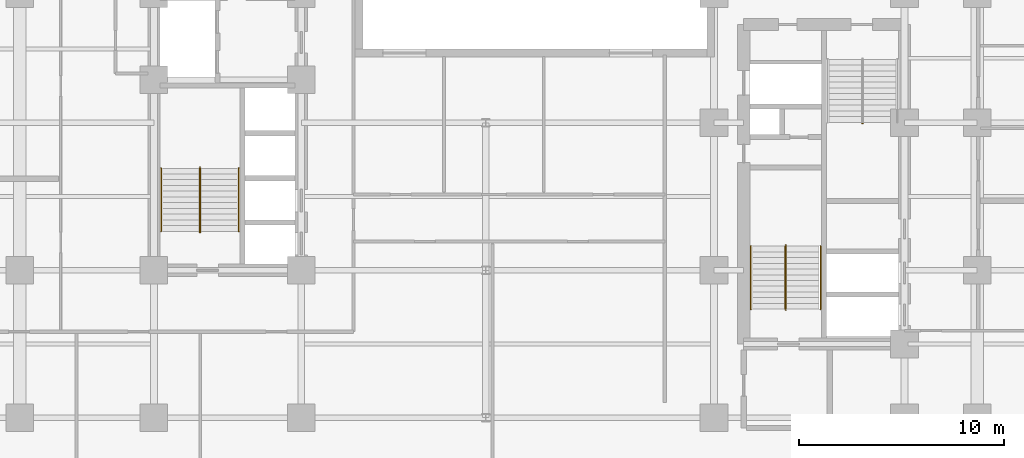
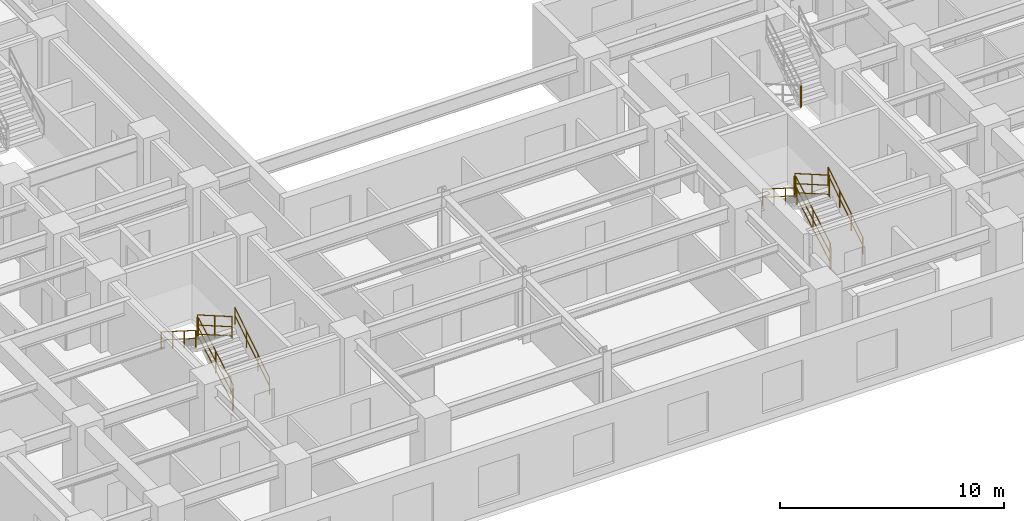
# One storey, part 7 of 9: 13 railings.
"""IFC4 building model written with IfcOpenShell, lengths in metres."""

from ifc_helpers import new_model, entity, si_unit, converted_unit, direction, frame, origin_with_axes, origin_2d_with_axis, place, context, subcontext, project, spatial, rectangle, circle, extrude, material, type_object, element, save


model = new_model("IFC4")

# Units and contexts
model_context = context("Model", 3, precision=1e-05, world=origin_with_axes(), true_north=direction((0.0, 1.0)))
body_context = subcontext(model_context, "Body", "Model", "MODEL_VIEW")
ifc_project = project(units=[si_unit("LENGTHUNIT", "METRE"), si_unit("AREAUNIT", "SQUARE_METRE"), si_unit("VOLUMEUNIT", "CUBIC_METRE"), converted_unit("PLANEANGLEUNIT", "DEGREE", entity("IfcPlaneAngleMeasure", 0.017453292519943295), si_unit("PLANEANGLEUNIT", "RADIAN"), dimensions=[0, 0, 0, 0, 0, 0, 0]), si_unit("MASSUNIT", "GRAM", prefix="KILO"), si_unit("THERMODYNAMICTEMPERATUREUNIT", "KELVIN")], contexts=[model_context])

# Site, building, storey
site_placement = place(None, origin_with_axes())
site = spatial("IfcSite", under=ifc_project, at=site_placement, CompositionType="ELEMENT")
building_placement = place(site_placement, origin_with_axes())
building = spatial("IfcBuilding", under=site, at=building_placement, Name="Varnlund Millrace Tower", CompositionType="ELEMENT")
storey_placement = place(building_placement, frame((0.0, 0.0, 40.5), z_axis=(0.0, 0.0, 1.0), x_axis=(1.0, 0.0, 0.0)))
storey = spatial("IfcBuildingStorey", under=building, at=storey_placement, Name="L09", CompositionType="ELEMENT", Elevation=40.5)

# Railings
ifc_material_1 = material(Name="Painted steel stair well balustrade guard", Category="steel")
railing_type_1 = type_object("IfcRailingType", Name="Type-StairGuard-1150", PredefinedType="GUARDRAIL", material=ifc_material_1)
railing_1_placement = place(storey_placement, frame((0.0, 0.0, -40.5), z_axis=(0.0, 0.0, 1.0), x_axis=(1.0, 0.0, 0.0)))
element("IfcRailing", 1, at=railing_1_placement, inside=storey, type_object=railing_type_1, Name="Type-StairGuard-1150", PredefinedType="GUARDRAIL", context=body_context, shape_type="SweptSolid", body=[
    extrude(circle(Radius=0.024, at=origin_2d_with_axis()), frame((13.675, 12.7, 41.827273), z_axis=(0.0, 0.866696, 0.498836), x_axis=(-1.0, 0.0, 0.0)), (0.0, 0.0, 1.0), 3.553725),
    extrude(circle(Radius=0.024, at=origin_2d_with_axis()), frame((13.675, 12.7, 40.777273), z_axis=(0.0, 0.866696, 0.498836), x_axis=(-1.0, 0.0, 0.0)), (0.0, 0.0, 1.0), 3.553725),
    extrude(circle(Radius=0.024, at=origin_2d_with_axis()), frame((13.675, 12.7, 41.275273), z_axis=(0.0, 0.866696, 0.498836), x_axis=(-1.0, 0.0, 0.0)), (0.0, 0.0, 1.0), 3.553725),
    extrude(rectangle(XDim=0.04, YDim=0.04, at=origin_2d_with_axis()), frame((13.675, 12.7, 40.637273), z_axis=(0.0, 0.0, 1.0), x_axis=(1.0, 0.0, 0.0)), (0.0, 0.0, 1.0), 1.19),
    extrude(rectangle(XDim=0.04, YDim=0.04, at=origin_2d_with_axis()), frame((13.675, 14.24, 41.523637), z_axis=(0.0, 0.0, 1.0), x_axis=(1.0, 0.0, 0.0)), (0.0, 0.0, 1.0), 1.19),
    extrude(rectangle(XDim=0.04, YDim=0.04, at=origin_2d_with_axis()), frame((13.675, 15.78, 42.41), z_axis=(0.0, 0.0, 1.0), x_axis=(1.0, 0.0, 0.0)), (0.0, 0.0, 1.0), 1.19),
])
railing_2_placement = place(storey_placement, frame((0.0, 0.0, -40.5), z_axis=(0.0, 0.0, 1.0), x_axis=(1.0, 0.0, 0.0)))
element("IfcRailing", 2, at=railing_2_placement, inside=storey, type_object=railing_type_1, Name="Type-StairGuard-1150", PredefinedType="GUARDRAIL", context=body_context, shape_type="SweptSolid", body=[
    extrude(circle(Radius=0.024, at=origin_2d_with_axis()), frame((13.625, 15.83, 43.6), z_axis=(1.0, 0.0, 0.0), x_axis=(0.0, 1.0, 0.0)), (0.0, 0.0, 1.0), 0.05),
    extrude(circle(Radius=0.024, at=origin_2d_with_axis()), frame((13.625, 15.83, 42.55), z_axis=(1.0, 0.0, 0.0), x_axis=(0.0, 1.0, 0.0)), (0.0, 0.0, 1.0), 0.05),
    extrude(circle(Radius=0.024, at=origin_2d_with_axis()), frame((13.625, 15.83, 43.048), z_axis=(1.0, 0.0, 0.0), x_axis=(0.0, 1.0, 0.0)), (0.0, 0.0, 1.0), 0.05),
    extrude(rectangle(XDim=0.04, YDim=0.04, at=origin_2d_with_axis()), frame((13.625, 15.83, 42.41), z_axis=(0.0, 0.0, 1.0), x_axis=(1.0, 0.0, 0.0)), (0.0, 0.0, 1.0), 1.19),
    extrude(rectangle(XDim=0.04, YDim=0.04, at=origin_2d_with_axis()), frame((13.675, 15.83, 42.41), z_axis=(0.0, 0.0, 1.0), x_axis=(1.0, 0.0, 0.0)), (0.0, 0.0, 1.0), 1.19),
])
railing_3_placement = place(storey_placement, frame((0.0, 0.0, -40.5), z_axis=(0.0, 0.0, 1.0), x_axis=(1.0, 0.0, 0.0)))
element("IfcRailing", 3, at=railing_3_placement, inside=storey, type_object=railing_type_1, Name="Type-StairGuard-1150", PredefinedType="GUARDRAIL", context=body_context, shape_type="SweptSolid", body=[
    extrude(circle(Radius=0.024, at=origin_2d_with_axis()), frame((13.625, 15.78, 43.777273), z_axis=(0.0, -0.866696, 0.498836), x_axis=(1.0, 0.0, 0.0)), (0.0, 0.0, 1.0), 3.553725),
    extrude(circle(Radius=0.024, at=origin_2d_with_axis()), frame((13.625, 15.78, 42.727273), z_axis=(0.0, -0.866696, 0.498836), x_axis=(1.0, 0.0, 0.0)), (0.0, 0.0, 1.0), 3.553725),
    extrude(circle(Radius=0.024, at=origin_2d_with_axis()), frame((13.625, 15.78, 43.225273), z_axis=(0.0, -0.866696, 0.498836), x_axis=(1.0, 0.0, 0.0)), (0.0, 0.0, 1.0), 3.553725),
    extrude(rectangle(XDim=0.04, YDim=0.04, at=origin_2d_with_axis()), frame((13.625, 15.78, 42.587273), z_axis=(0.0, 0.0, 1.0), x_axis=(1.0, 0.0, 0.0)), (0.0, 0.0, 1.0), 1.19),
    extrude(rectangle(XDim=0.04, YDim=0.04, at=origin_2d_with_axis()), frame((13.625, 14.24, 43.473637), z_axis=(0.0, 0.0, 1.0), x_axis=(1.0, 0.0, 0.0)), (0.0, 0.0, 1.0), 1.19),
    extrude(rectangle(XDim=0.04, YDim=0.04, at=origin_2d_with_axis()), frame((13.625, 12.7, 44.36), z_axis=(0.0, 0.0, 1.0), x_axis=(1.0, 0.0, 0.0)), (0.0, 0.0, 1.0), 1.19),
])
railing_4_placement = place(storey_placement, frame((0.0, 0.0, -40.5), z_axis=(0.0, 0.0, 1.0), x_axis=(1.0, 0.0, 0.0)))
element("IfcRailing", 4, at=railing_4_placement, inside=storey, type_object=railing_type_1, Name="Type-StairGuard-1150", PredefinedType="GUARDRAIL", context=body_context, shape_type="SweptSolid", body=[
    extrude(circle(Radius=0.024, at=origin_2d_with_axis()), frame((13.625, 12.65, 41.65), z_axis=(1.0, 0.0, 0.0), x_axis=(0.0, 1.0, 0.0)), (0.0, 0.0, 1.0), 0.05),
    extrude(circle(Radius=0.024, at=origin_2d_with_axis()), frame((13.625, 12.65, 40.6), z_axis=(1.0, 0.0, 0.0), x_axis=(0.0, 1.0, 0.0)), (0.0, 0.0, 1.0), 0.05),
    extrude(circle(Radius=0.024, at=origin_2d_with_axis()), frame((13.625, 12.65, 41.098), z_axis=(1.0, 0.0, 0.0), x_axis=(0.0, 1.0, 0.0)), (0.0, 0.0, 1.0), 0.05),
    extrude(rectangle(XDim=0.04, YDim=0.04, at=origin_2d_with_axis()), frame((13.625, 12.65, 40.46), z_axis=(0.0, 0.0, 1.0), x_axis=(1.0, 0.0, 0.0)), (0.0, 0.0, 1.0), 1.19),
    extrude(rectangle(XDim=0.04, YDim=0.04, at=origin_2d_with_axis()), frame((13.675, 12.65, 40.46), z_axis=(0.0, 0.0, 1.0), x_axis=(1.0, 0.0, 0.0)), (0.0, 0.0, 1.0), 1.19),
])
railing_5_placement = place(storey_placement, frame((0.0, 0.0, -40.5), z_axis=(0.0, 0.0, 1.0), x_axis=(1.0, 0.0, 0.0)))
element("IfcRailing", 5, at=railing_5_placement, inside=storey, type_object=railing_type_1, Name="Type-StairGuard-1150", PredefinedType="GUARDRAIL", context=body_context, shape_type="SweptSolid", body=[
    extrude(circle(Radius=0.024, at=origin_2d_with_axis()), frame((42.275, 8.9, 41.827273), z_axis=(0.0, 0.866696, 0.498836), x_axis=(-1.0, 0.0, 0.0)), (0.0, 0.0, 1.0), 3.553725),
    extrude(circle(Radius=0.024, at=origin_2d_with_axis()), frame((42.275, 8.9, 40.777273), z_axis=(0.0, 0.866696, 0.498836), x_axis=(-1.0, 0.0, 0.0)), (0.0, 0.0, 1.0), 3.553725),
    extrude(circle(Radius=0.024, at=origin_2d_with_axis()), frame((42.275, 8.9, 41.275273), z_axis=(0.0, 0.866696, 0.498836), x_axis=(-1.0, 0.0, 0.0)), (0.0, 0.0, 1.0), 3.553725),
    extrude(rectangle(XDim=0.04, YDim=0.04, at=origin_2d_with_axis()), frame((42.275, 8.9, 40.637273), z_axis=(0.0, 0.0, 1.0), x_axis=(1.0, 0.0, 0.0)), (0.0, 0.0, 1.0), 1.19),
    extrude(rectangle(XDim=0.04, YDim=0.04, at=origin_2d_with_axis()), frame((42.275, 10.44, 41.523637), z_axis=(0.0, 0.0, 1.0), x_axis=(1.0, 0.0, 0.0)), (0.0, 0.0, 1.0), 1.19),
    extrude(rectangle(XDim=0.04, YDim=0.04, at=origin_2d_with_axis()), frame((42.275, 11.98, 42.41), z_axis=(0.0, 0.0, 1.0), x_axis=(1.0, 0.0, 0.0)), (0.0, 0.0, 1.0), 1.19),
])
railing_6_placement = place(storey_placement, frame((0.0, 0.0, -40.5), z_axis=(0.0, 0.0, 1.0), x_axis=(1.0, 0.0, 0.0)))
element("IfcRailing", 6, at=railing_6_placement, inside=storey, type_object=railing_type_1, Name="Type-StairGuard-1150", PredefinedType="GUARDRAIL", context=body_context, shape_type="SweptSolid", body=[
    extrude(circle(Radius=0.024, at=origin_2d_with_axis()), frame((42.225, 12.03, 43.6), z_axis=(1.0, 0.0, 0.0), x_axis=(0.0, 1.0, 0.0)), (0.0, 0.0, 1.0), 0.05),
    extrude(circle(Radius=0.024, at=origin_2d_with_axis()), frame((42.225, 12.03, 42.55), z_axis=(1.0, 0.0, 0.0), x_axis=(0.0, 1.0, 0.0)), (0.0, 0.0, 1.0), 0.05),
    extrude(circle(Radius=0.024, at=origin_2d_with_axis()), frame((42.225, 12.03, 43.048), z_axis=(1.0, 0.0, 0.0), x_axis=(0.0, 1.0, 0.0)), (0.0, 0.0, 1.0), 0.05),
    extrude(rectangle(XDim=0.04, YDim=0.04, at=origin_2d_with_axis()), frame((42.225, 12.03, 42.41), z_axis=(0.0, 0.0, 1.0), x_axis=(1.0, 0.0, 0.0)), (0.0, 0.0, 1.0), 1.19),
    extrude(rectangle(XDim=0.04, YDim=0.04, at=origin_2d_with_axis()), frame((42.275, 12.03, 42.41), z_axis=(0.0, 0.0, 1.0), x_axis=(1.0, 0.0, 0.0)), (0.0, 0.0, 1.0), 1.19),
])
railing_7_placement = place(storey_placement, frame((0.0, 0.0, -40.5), z_axis=(0.0, 0.0, 1.0), x_axis=(1.0, 0.0, 0.0)))
element("IfcRailing", 7, at=railing_7_placement, inside=storey, type_object=railing_type_1, Name="Type-StairGuard-1150", PredefinedType="GUARDRAIL", context=body_context, shape_type="SweptSolid", body=[
    extrude(circle(Radius=0.024, at=origin_2d_with_axis()), frame((42.225, 11.98, 43.777273), z_axis=(0.0, -0.866696, 0.498836), x_axis=(1.0, 0.0, 0.0)), (0.0, 0.0, 1.0), 3.553725),
    extrude(circle(Radius=0.024, at=origin_2d_with_axis()), frame((42.225, 11.98, 42.727273), z_axis=(0.0, -0.866696, 0.498836), x_axis=(1.0, 0.0, 0.0)), (0.0, 0.0, 1.0), 3.553725),
    extrude(circle(Radius=0.024, at=origin_2d_with_axis()), frame((42.225, 11.98, 43.225273), z_axis=(0.0, -0.866696, 0.498836), x_axis=(1.0, 0.0, 0.0)), (0.0, 0.0, 1.0), 3.553725),
    extrude(rectangle(XDim=0.04, YDim=0.04, at=origin_2d_with_axis()), frame((42.225, 11.98, 42.587273), z_axis=(0.0, 0.0, 1.0), x_axis=(1.0, 0.0, 0.0)), (0.0, 0.0, 1.0), 1.19),
    extrude(rectangle(XDim=0.04, YDim=0.04, at=origin_2d_with_axis()), frame((42.225, 10.44, 43.473637), z_axis=(0.0, 0.0, 1.0), x_axis=(1.0, 0.0, 0.0)), (0.0, 0.0, 1.0), 1.19),
    extrude(rectangle(XDim=0.04, YDim=0.04, at=origin_2d_with_axis()), frame((42.225, 8.9, 44.36), z_axis=(0.0, 0.0, 1.0), x_axis=(1.0, 0.0, 0.0)), (0.0, 0.0, 1.0), 1.19),
])
railing_8_placement = place(storey_placement, frame((0.0, 0.0, -40.5), z_axis=(0.0, 0.0, 1.0), x_axis=(1.0, 0.0, 0.0)))
element("IfcRailing", 8, at=railing_8_placement, inside=storey, type_object=railing_type_1, Name="Type-StairGuard-1150", PredefinedType="GUARDRAIL", context=body_context, shape_type="SweptSolid", body=[
    extrude(circle(Radius=0.024, at=origin_2d_with_axis()), frame((42.225, 8.85, 41.65), z_axis=(1.0, 0.0, 0.0), x_axis=(0.0, 1.0, 0.0)), (0.0, 0.0, 1.0), 0.05),
    extrude(circle(Radius=0.024, at=origin_2d_with_axis()), frame((42.225, 8.85, 40.6), z_axis=(1.0, 0.0, 0.0), x_axis=(0.0, 1.0, 0.0)), (0.0, 0.0, 1.0), 0.05),
    extrude(circle(Radius=0.024, at=origin_2d_with_axis()), frame((42.225, 8.85, 41.098), z_axis=(1.0, 0.0, 0.0), x_axis=(0.0, 1.0, 0.0)), (0.0, 0.0, 1.0), 0.05),
    extrude(rectangle(XDim=0.04, YDim=0.04, at=origin_2d_with_axis()), frame((42.225, 8.85, 40.46), z_axis=(0.0, 0.0, 1.0), x_axis=(1.0, 0.0, 0.0)), (0.0, 0.0, 1.0), 1.19),
    extrude(rectangle(XDim=0.04, YDim=0.04, at=origin_2d_with_axis()), frame((42.275, 8.85, 40.46), z_axis=(0.0, 0.0, 1.0), x_axis=(1.0, 0.0, 0.0)), (0.0, 0.0, 1.0), 1.19),
])
railing_9_placement = place(storey_placement, frame((0.0, 0.0, -40.5), z_axis=(0.0, 0.0, 1.0), x_axis=(1.0, 0.0, 0.0)))
element("IfcRailing", 9, at=railing_9_placement, inside=storey, type_object=railing_type_1, Name="Type-StairGuard-1150", PredefinedType="GUARDRAIL", context=body_context, shape_type="SweptSolid", body=[
    extrude(circle(Radius=0.024, at=origin_2d_with_axis()), frame((46.025, 17.97, 43.6), z_axis=(-1.0, 0.0, 0.0), x_axis=(0.0, -1.0, 0.0)), (0.0, 0.0, 1.0), 0.05),
    extrude(circle(Radius=0.024, at=origin_2d_with_axis()), frame((46.025, 17.97, 42.55), z_axis=(-1.0, 0.0, 0.0), x_axis=(0.0, -1.0, 0.0)), (0.0, 0.0, 1.0), 0.05),
    extrude(circle(Radius=0.024, at=origin_2d_with_axis()), frame((46.025, 17.97, 43.048), z_axis=(-1.0, 0.0, 0.0), x_axis=(0.0, -1.0, 0.0)), (0.0, 0.0, 1.0), 0.05),
    extrude(rectangle(XDim=0.04, YDim=0.04, at=origin_2d_with_axis()), frame((46.025, 17.97, 42.41), z_axis=(0.0, 0.0, 1.0), x_axis=(1.0, 0.0, 0.0)), (0.0, 0.0, 1.0), 1.19),
    extrude(rectangle(XDim=0.04, YDim=0.04, at=origin_2d_with_axis()), frame((45.975, 17.97, 42.41), z_axis=(0.0, 0.0, 1.0), x_axis=(1.0, 0.0, 0.0)), (0.0, 0.0, 1.0), 1.19),
])
ifc_material_2 = material(Name="Brushed architectural bronze stair handrail", Category="aluminium")
railing_type_2 = type_object("IfcRailingType", Name="Type-StairHandrail-900", PredefinedType="HANDRAIL", material=ifc_material_2)
railing_10_placement = place(storey_placement, frame((0.0, 0.0, -40.5), z_axis=(0.0, 0.0, 1.0), x_axis=(1.0, 0.0, 0.0)))
element("IfcRailing", 10, at=railing_10_placement, inside=storey, type_object=railing_type_2, Name="Type-StairHandrail-900", PredefinedType="HANDRAIL", context=body_context, shape_type="SweptSolid", body=[
    extrude(circle(Radius=0.024, at=origin_2d_with_axis()), frame((15.55, 12.7, 41.556995), z_axis=(0.0, 0.844902, 0.534922), x_axis=(-1.0, 0.0, 0.0)), (0.0, 0.0, 1.0), 3.645394),
    extrude(circle(Radius=0.024, at=origin_2d_with_axis()), frame((15.55, 12.7, 41.117134), z_axis=(0.0, 0.844902, 0.534922), x_axis=(-1.0, 0.0, 0.0)), (0.0, 0.0, 1.0), 3.645394),
    extrude(rectangle(XDim=0.04, YDim=0.04, at=origin_2d_with_axis()), frame((15.55, 12.7, 40.637273), z_axis=(0.0, 0.0, 1.0), x_axis=(1.0, 0.0, 0.0)), (0.0, 0.0, 1.0), 0.919722),
    extrude(rectangle(XDim=0.04, YDim=0.04, at=origin_2d_with_axis()), frame((15.55, 13.726667, 41.287273), z_axis=(0.0, 0.0, 1.0), x_axis=(1.0, 0.0, 0.0)), (0.0, 0.0, 1.0), 0.919722),
    extrude(rectangle(XDim=0.04, YDim=0.04, at=origin_2d_with_axis()), frame((15.55, 14.753333, 41.937273), z_axis=(0.0, 0.0, 1.0), x_axis=(1.0, 0.0, 0.0)), (0.0, 0.0, 1.0), 0.919722),
    extrude(rectangle(XDim=0.04, YDim=0.04, at=origin_2d_with_axis()), frame((15.55, 15.78, 42.587273), z_axis=(0.0, 0.0, 1.0), x_axis=(1.0, 0.0, 0.0)), (0.0, 0.0, 1.0), 0.919722),
])
railing_11_placement = place(storey_placement, frame((0.0, 0.0, -40.5), z_axis=(0.0, 0.0, 1.0), x_axis=(1.0, 0.0, 0.0)))
element("IfcRailing", 11, at=railing_11_placement, inside=storey, type_object=railing_type_2, Name="Type-StairHandrail-900", PredefinedType="HANDRAIL", context=body_context, shape_type="SweptSolid", body=[
    extrude(circle(Radius=0.024, at=origin_2d_with_axis()), frame((11.75, 15.78, 43.506995), z_axis=(0.0, -0.844902, 0.534922), x_axis=(1.0, 0.0, 0.0)), (0.0, 0.0, 1.0), 3.645394),
    extrude(circle(Radius=0.024, at=origin_2d_with_axis()), frame((11.75, 15.78, 43.067134), z_axis=(0.0, -0.844902, 0.534922), x_axis=(1.0, 0.0, 0.0)), (0.0, 0.0, 1.0), 3.645394),
    extrude(rectangle(XDim=0.04, YDim=0.04, at=origin_2d_with_axis()), frame((11.75, 15.78, 42.587273), z_axis=(0.0, 0.0, 1.0), x_axis=(1.0, 0.0, 0.0)), (0.0, 0.0, 1.0), 0.919722),
    extrude(rectangle(XDim=0.04, YDim=0.04, at=origin_2d_with_axis()), frame((11.75, 14.753333, 43.237273), z_axis=(0.0, 0.0, 1.0), x_axis=(1.0, 0.0, 0.0)), (0.0, 0.0, 1.0), 0.919722),
    extrude(rectangle(XDim=0.04, YDim=0.04, at=origin_2d_with_axis()), frame((11.75, 13.726667, 43.887273), z_axis=(0.0, 0.0, 1.0), x_axis=(1.0, 0.0, 0.0)), (0.0, 0.0, 1.0), 0.919722),
    extrude(rectangle(XDim=0.04, YDim=0.04, at=origin_2d_with_axis()), frame((11.75, 12.7, 44.537273), z_axis=(0.0, 0.0, 1.0), x_axis=(1.0, 0.0, 0.0)), (0.0, 0.0, 1.0), 0.919722),
])
railing_12_placement = place(storey_placement, frame((0.0, 0.0, -40.5), z_axis=(0.0, 0.0, 1.0), x_axis=(1.0, 0.0, 0.0)))
element("IfcRailing", 12, at=railing_12_placement, inside=storey, type_object=railing_type_2, Name="Type-StairHandrail-900", PredefinedType="HANDRAIL", context=body_context, shape_type="SweptSolid", body=[
    extrude(circle(Radius=0.024, at=origin_2d_with_axis()), frame((43.95, 8.9, 41.556995), z_axis=(0.0, 0.844902, 0.534922), x_axis=(-1.0, 0.0, 0.0)), (0.0, 0.0, 1.0), 3.645394),
    extrude(circle(Radius=0.024, at=origin_2d_with_axis()), frame((43.95, 8.9, 41.117134), z_axis=(0.0, 0.844902, 0.534922), x_axis=(-1.0, 0.0, 0.0)), (0.0, 0.0, 1.0), 3.645394),
    extrude(rectangle(XDim=0.04, YDim=0.04, at=origin_2d_with_axis()), frame((43.95, 8.9, 40.637273), z_axis=(0.0, 0.0, 1.0), x_axis=(1.0, 0.0, 0.0)), (0.0, 0.0, 1.0), 0.919722),
    extrude(rectangle(XDim=0.04, YDim=0.04, at=origin_2d_with_axis()), frame((43.95, 9.926667, 41.287273), z_axis=(0.0, 0.0, 1.0), x_axis=(1.0, 0.0, 0.0)), (0.0, 0.0, 1.0), 0.919722),
    extrude(rectangle(XDim=0.04, YDim=0.04, at=origin_2d_with_axis()), frame((43.95, 10.953333, 41.937273), z_axis=(0.0, 0.0, 1.0), x_axis=(1.0, 0.0, 0.0)), (0.0, 0.0, 1.0), 0.919722),
    extrude(rectangle(XDim=0.04, YDim=0.04, at=origin_2d_with_axis()), frame((43.95, 11.98, 42.587273), z_axis=(0.0, 0.0, 1.0), x_axis=(1.0, 0.0, 0.0)), (0.0, 0.0, 1.0), 0.919722),
])
railing_13_placement = place(storey_placement, frame((0.0, 0.0, -40.5), z_axis=(0.0, 0.0, 1.0), x_axis=(1.0, 0.0, 0.0)))
element("IfcRailing", 13, at=railing_13_placement, inside=storey, type_object=railing_type_2, Name="Type-StairHandrail-900", PredefinedType="HANDRAIL", context=body_context, shape_type="SweptSolid", body=[
    extrude(circle(Radius=0.024, at=origin_2d_with_axis()), frame((40.55, 11.98, 43.506995), z_axis=(0.0, -0.844902, 0.534922), x_axis=(1.0, 0.0, 0.0)), (0.0, 0.0, 1.0), 3.645394),
    extrude(circle(Radius=0.024, at=origin_2d_with_axis()), frame((40.55, 11.98, 43.067134), z_axis=(0.0, -0.844902, 0.534922), x_axis=(1.0, 0.0, 0.0)), (0.0, 0.0, 1.0), 3.645394),
    extrude(rectangle(XDim=0.04, YDim=0.04, at=origin_2d_with_axis()), frame((40.55, 11.98, 42.587273), z_axis=(0.0, 0.0, 1.0), x_axis=(1.0, 0.0, 0.0)), (0.0, 0.0, 1.0), 0.919722),
    extrude(rectangle(XDim=0.04, YDim=0.04, at=origin_2d_with_axis()), frame((40.55, 10.953333, 43.237273), z_axis=(0.0, 0.0, 1.0), x_axis=(1.0, 0.0, 0.0)), (0.0, 0.0, 1.0), 0.919722),
    extrude(rectangle(XDim=0.04, YDim=0.04, at=origin_2d_with_axis()), frame((40.55, 9.926667, 43.887273), z_axis=(0.0, 0.0, 1.0), x_axis=(1.0, 0.0, 0.0)), (0.0, 0.0, 1.0), 0.919722),
    extrude(rectangle(XDim=0.04, YDim=0.04, at=origin_2d_with_axis()), frame((40.55, 8.9, 44.537273), z_axis=(0.0, 0.0, 1.0), x_axis=(1.0, 0.0, 0.0)), (0.0, 0.0, 1.0), 0.919722),
])

save(model, "model.ifc")
